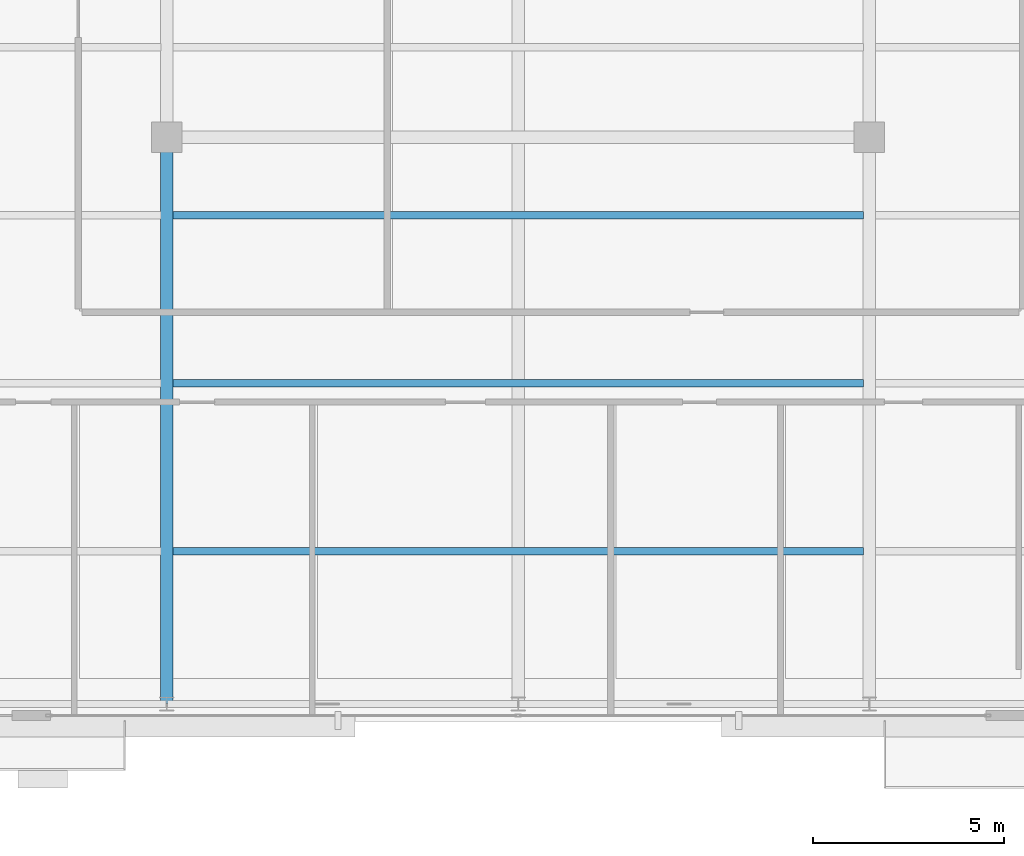
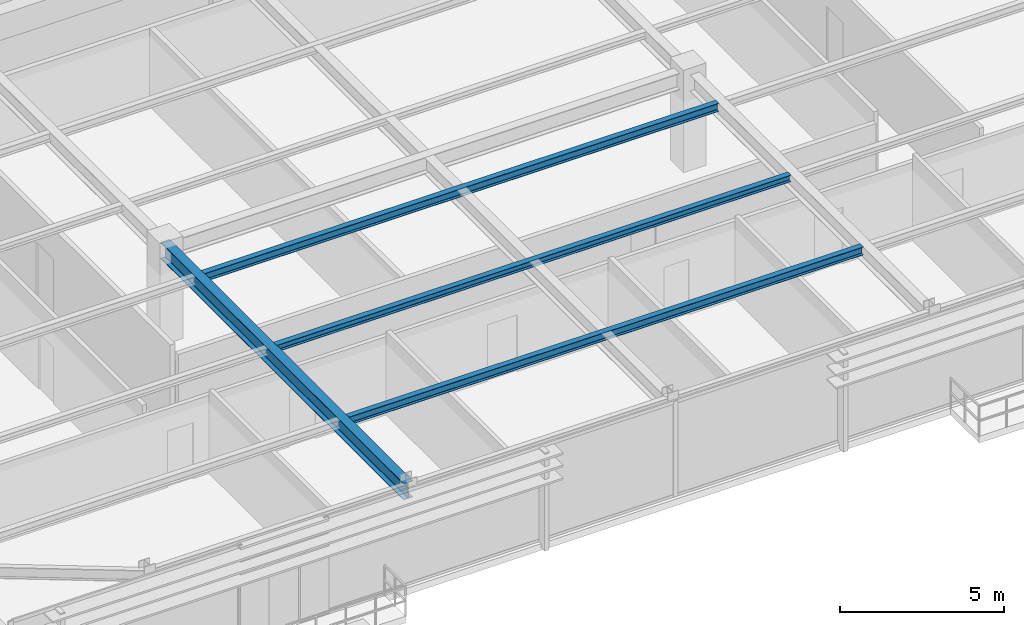
# One storey, part 8 of 30: 4 beams.
"""IFC4 building model written with IfcOpenShell, lengths in metres."""

from ifc_helpers import new_model, si_unit, direction, frame, origin, origin_2d, place, context, subcontext, project, spatial, i_section, extrude, source, transform, mapped, material, material_profile, profile_set, type_object, type_shapes, element, save


model = new_model("IFC4")

# Units and contexts
model_context = context("Model", 3, precision=1e-05, world=origin(), true_north=direction((0.0, 1.0)))
body_context = subcontext(model_context, "Body", "Model", "MODEL_VIEW")
ifc_project = project(units=[si_unit("LENGTHUNIT", "METRE"), si_unit("AREAUNIT", "SQUARE_METRE"), si_unit("VOLUMEUNIT", "CUBIC_METRE"), si_unit("PLANEANGLEUNIT", "RADIAN"), si_unit("MASSUNIT", "GRAM", prefix="KILO")], contexts=[model_context])

# Site, building, storey
site_placement = place(None, origin())
site = spatial("IfcSite", under=ifc_project, at=site_placement, CompositionType="ELEMENT")
building_placement = place(site_placement, origin())
building = spatial("IfcBuilding", under=site, at=building_placement, Name="Varnel Quay Broadcast Tower", CompositionType="ELEMENT")
storey_placement = place(building_placement, frame((0.0, 0.0, 168.60009765625)))
storey = spatial("IfcBuildingStorey", under=building, at=storey_placement, Name="L41", CompositionType="ELEMENT", Elevation=168.60009765625)

# Beams
ifc_material = material(Name="Structural Steel CSA G40.21 350W", Category="steel")
ifc_material_profile_1 = material_profile(ifc_material, i_section(OverallWidth=0.324951171875, OverallDepth=0.615966796875, WebThickness=0.013916015625, FlangeThickness=0.021484375, FilletRadius=0.01611328125, at=origin_2d()), Name="W610X174")
ifc_profile_set_1 = profile_set([ifc_material_profile_1], Name="Structural Steel CSA G40.21 350W")
beam_type_1 = type_object("IfcBeamType", Name="Girder_W610X174", PredefinedType="BEAM", material=ifc_profile_set_1)
shared_shape_1 = source(origin(), body_context, "Body", "SweptSolid", [
    extrude(i_section(OverallWidth=0.324951171875, OverallDepth=0.615966796875, WebThickness=0.013916015625, FlangeThickness=0.021484375, FilletRadius=0.01611328125, at=origin_2d()), origin(), (0.0, 0.0, 1.0), 14.800048828125),
])
type_shapes(beam_type_1, [shared_shape_1])
beam_1_placement = place(storey_placement, frame((24.800048828125, 7.669921875, 3.241943359375), z_axis=(0.0, 1.0, 0.0), x_axis=(-1.0, 0.0, 0.0)))
element("IfcBeam", 1, at=beam_1_placement, inside=storey, type_object=beam_type_1, Name="L41 Primary Girder TC-S2-IC-01", PredefinedType="BEAM", context=body_context, shape_type="MappedRepresentation", body=[
    mapped(shared_shape_1, transform((0.0, 0.0, 0.0), x_axis=(1.0, 0.0, 0.0), y_axis=(0.0, 1.0, 0.0), z_axis=(0.0, 0.0, 1.0), scale=1.0)),
])
ifc_material_profile_2 = material_profile(ifc_material, i_section(OverallWidth=0.202880859375, OverallDepth=0.302978515625, WebThickness=0.007568359375, FlangeThickness=0.01318359375, FilletRadius=0.011962890625, at=origin_2d()), Name="W310X60")
ifc_profile_set_2 = profile_set([ifc_material_profile_2], Name="Structural Steel CSA G40.21 350W")
beam_type_2 = type_object("IfcBeamType", Name="Beam_W310X60", PredefinedType="JOIST", material=ifc_profile_set_2)
shared_shape_2 = source(origin(), body_context, "Body", "SweptSolid", [
    extrude(i_section(OverallWidth=0.202880859375, OverallDepth=0.302978515625, WebThickness=0.007568359375, FlangeThickness=0.01318359375, FilletRadius=0.011962890625, at=origin_2d()), origin(), (0.0, 0.0, 1.0), 18.0849609375),
])
type_shapes(beam_type_2, [shared_shape_2])
for number, where, z_axis, x_axis, name in (
    (2, (24.95751953125, 11.64990234375, 3.3984375), (1.0, 0.0, 0.0), (0.0, 1.0, 0.0), "L41 Central Floor Joist 1"),
    (3, (24.95751953125, 20.449951171875, 3.3984375), (1.0, 0.0, 0.0), (0.0, 1.0, 0.0), "L41 Central Floor Joist 3"),
):
    element("IfcBeam", number, at=place(storey_placement, frame(where, z_axis=z_axis, x_axis=x_axis)), inside=storey, type_object=beam_type_2, Name=name, PredefinedType="JOIST", context=body_context, shape_type="MappedRepresentation", body=[
        mapped(shared_shape_2, transform((0.0, 0.0, 0.0), x_axis=(1.0, 0.0, 0.0), y_axis=(0.0, 1.0, 0.0), z_axis=(0.0, 0.0, 1.0), scale=1.0)),
    ])
ifc_material_profile_3 = material_profile(ifc_material, i_section(OverallWidth=0.201904296875, OverallDepth=0.2470703125, WebThickness=0.00732421875, FlangeThickness=0.010986328125, FilletRadius=0.010986328125, at=origin_2d()), Name="W250X49")
ifc_profile_set_3 = profile_set([ifc_material_profile_3], Name="Structural Steel CSA G40.21 350W")
beam_type_3 = type_object("IfcBeamType", Name="Beam_W250X49", PredefinedType="JOIST", material=ifc_profile_set_3)
shared_shape_3 = source(origin(), body_context, "Body", "SweptSolid", [
    extrude(i_section(OverallWidth=0.201904296875, OverallDepth=0.2470703125, WebThickness=0.00732421875, FlangeThickness=0.010986328125, FilletRadius=0.010986328125, at=origin_2d()), origin(), (0.0, 0.0, 1.0), 18.0849609375),
])
type_shapes(beam_type_3, [shared_shape_3])
beam_2_placement = place(storey_placement, frame((24.95751953125, 16.050048828125, 3.426513671875), z_axis=(1.0, 0.0, 0.0), x_axis=(0.0, 1.0, 0.0)))
element("IfcBeam", 4, at=beam_2_placement, inside=storey, type_object=beam_type_3, Name="L41 Central Floor Joist 2", PredefinedType="JOIST", context=body_context, shape_type="MappedRepresentation", body=[
    mapped(shared_shape_3, transform((0.0, 0.0, 0.0), x_axis=(1.0, 0.0, 0.0), y_axis=(0.0, 1.0, 0.0), z_axis=(0.0, 0.0, 1.0), scale=1.0)),
])

save(model, "model.ifc")
